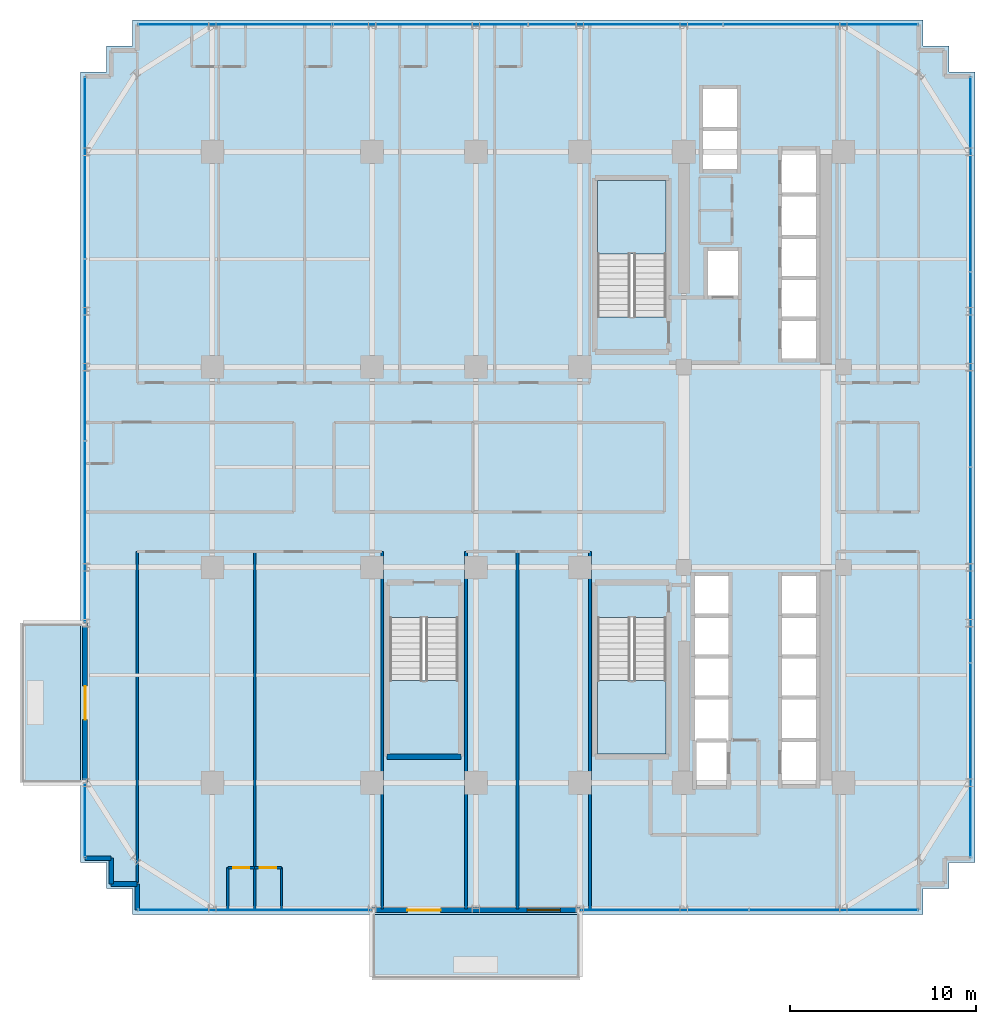
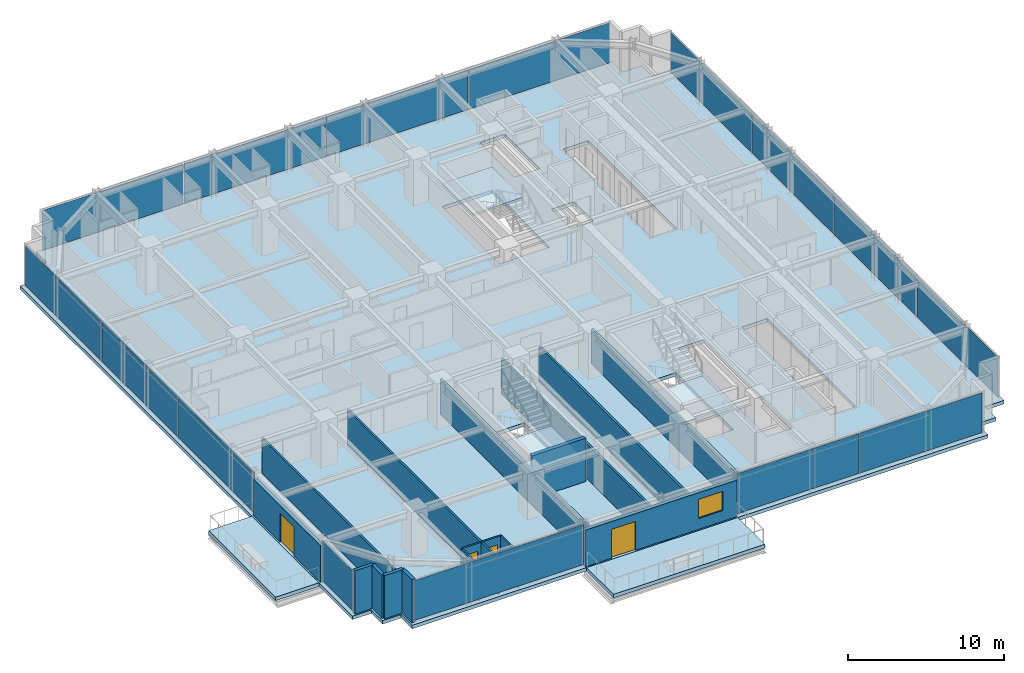
# One storey, part 24 of 31: 17 walls, 15 plates, 6 slabs, 4 doors, 1 window, 5 openings, 9 elements without a shape of their own.
"""IFC4 building model written with IfcOpenShell, lengths in metres."""

from ifc_helpers import new_model, si_unit, direction, frame, frame_2d, origin, origin_2d, place, context, subcontext, project, spatial, polyline, rectangle, outline, extrude, source, transform, mapped, material, layer, layer_set, type_object, element, fill, aggregate, save


model = new_model("IFC4")

# Units and contexts
model_context = context("Model", 3, precision=1e-05, world=origin(), true_north=direction((0.0, 1.0)))
body_context = subcontext(model_context, "Body", "Model", "MODEL_VIEW")
ifc_project = project(units=[si_unit("LENGTHUNIT", "METRE"), si_unit("AREAUNIT", "SQUARE_METRE"), si_unit("VOLUMEUNIT", "CUBIC_METRE"), si_unit("PLANEANGLEUNIT", "RADIAN"), si_unit("MASSUNIT", "GRAM", prefix="KILO")], contexts=[model_context])

# Site, building, storey
site_placement = place(None, origin())
site = spatial("IfcSite", under=ifc_project, at=site_placement, CompositionType="ELEMENT")
building_placement = place(site_placement, origin())
building = spatial("IfcBuilding", under=site, at=building_placement, Name="Nahalor Promenade Grand Hotel", CompositionType="ELEMENT")
storey_placement = place(building_placement, frame((0.0, 0.0, 95.60009765625)))
storey = spatial("IfcBuildingStorey", under=building, at=storey_placement, Name="L23", CompositionType="ELEMENT", Elevation=95.60009765625)

# Stair, slab
ifc_material_1 = material(Name="Concrete B-50 (C40/50)", Category="concrete")
stair_type_1 = type_object("IfcStairType", Name="Stair-ST1", PredefinedType="HALF_TURN_STAIR", material=ifc_material_1)
stair_1_placement = place(storey_placement, origin())
stair_1 = element("IfcStair", 1, at=stair_1_placement, inside=storey, type_object=stair_type_1, Name="L23 ST1", PredefinedType="HALF_TURN_STAIR")
ifc_layer_1 = layer(ifc_material_1, 0.199951171875)
ifc_layer_set_1 = layer_set([ifc_layer_1], Name="Concrete B-50 (C40/50)")
slab_type_1 = type_object("IfcSlabType", Name="Landing-ST1", PredefinedType="LANDING", material=ifc_layer_set_1)
slab_1_placement = place(storey_placement, frame((0.0, 0.0, 1.625)))
slab_1 = element("IfcSlab", 2, at=slab_1_placement, type_object=slab_type_1, Name="ST1 landing 1", PredefinedType="LANDING", context=body_context, shape_type="SweptSolid", body=[
    extrude(outline(polyline([(7.449951171875, 11.5), (7.449951171875, 15.449951171875), (3.75, 15.449951171875), (3.75, 11.5), (7.449951171875, 11.5)])), origin(), (0.0, 0.0, 1.0), 0.199951171875),
])
aggregate(stair_1, [slab_1])

stair_type_2 = type_object("IfcStairType", Name="Stair-ST2", PredefinedType="HALF_TURN_STAIR", material=ifc_material_1)
stair_2_placement = place(storey_placement, origin())
stair_2 = element("IfcStair", 3, at=stair_2_placement, inside=storey, type_object=stair_type_2, Name="L23 ST2", PredefinedType="HALF_TURN_STAIR")
ifc_layer_2 = layer(ifc_material_1, 0.2099609375)
ifc_layer_set_2 = layer_set([ifc_layer_2], Name="Concrete B-50 (C40/50)")
slab_type_2 = type_object("IfcSlabType", Name="Landing-ST2", PredefinedType="LANDING", material=ifc_layer_set_2)
slab_2_placement = place(storey_placement, frame((0.0, 0.0, 1.614990234375)))
slab_2 = element("IfcSlab", 4, at=slab_2_placement, type_object=slab_type_2, Name="ST2 landing 1", PredefinedType="LANDING", context=body_context, shape_type="SweptSolid", body=[
    extrude(outline(polyline([(3.75, -11.5), (3.75, -15.449951171875), (7.449951171875, -15.449951171875), (7.449951171875, -11.5), (3.75, -11.5)])), origin(), (0.0, 0.0, 1.0), 0.2099609375),
])
aggregate(stair_2, [slab_2])

stair_type_3 = type_object("IfcStairType", Name="Stair-ST3", PredefinedType="HALF_TURN_STAIR", material=ifc_material_1)
stair_3_placement = place(storey_placement, origin())
stair_3 = element("IfcStair", 5, at=stair_3_placement, inside=storey, type_object=stair_type_3, Name="L23 ST3", PredefinedType="HALF_TURN_STAIR")
ifc_layer_3 = layer(ifc_material_1, 0.219970703125)
ifc_layer_set_3 = layer_set([ifc_layer_3], Name="Concrete B-50 (C40/50)")
slab_type_3 = type_object("IfcSlabType", Name="Landing-ST3", PredefinedType="LANDING", material=ifc_layer_set_3)
slab_3_placement = place(storey_placement, frame((0.0, 0.0, 1.60498046875)))
slab_3 = element("IfcSlab", 6, at=slab_3_placement, type_object=slab_type_3, Name="ST3 landing 1", PredefinedType="LANDING", context=body_context, shape_type="SweptSolid", body=[
    extrude(outline(polyline([(-7.449951171875, -11.5), (-7.449951171875, -15.449951171875), (-3.75, -15.449951171875), (-3.75, -11.5), (-7.449951171875, -11.5)])), origin(), (0.0, 0.0, 1.0), 0.219970703125),
])
aggregate(stair_3, [slab_3])

# Slabs
ifc_layer_4 = layer(ifc_material_1, 0.280029296875)
ifc_layer_set_4 = layer_set([ifc_layer_4], Name="Concrete B-50 (C40/50)")
slab_type_4 = type_object("IfcSlabType", Name="Slab-Balcony-280", PredefinedType="FLOOR", material=ifc_layer_set_4)
slab_4_placement = place(storey_placement, frame((0.0, 0.0, -0.280029296875)))
element("IfcSlab", 7, at=slab_4_placement, inside=storey, type_object=slab_type_4, Name="L23 Cantilevered Planted Balcony 1", PredefinedType="FLOOR", context=body_context, shape_type="SweptSolid", body=[
    extrude(outline(polyline([(-8.39990234375, -27.56005859375), (2.800048828125, -27.56005859375), (2.800048828125, -24.10009765625), (-8.39990234375, -24.10009765625), (-8.39990234375, -27.56005859375)])), origin(), (0.0, 0.0, 1.0), 0.280029296875),
])
slab_5_placement = place(storey_placement, frame((0.0, 0.0, -0.280029296875)))
element("IfcSlab", 8, at=slab_5_placement, inside=storey, type_object=slab_type_4, Name="L23 Cantilevered Planted Balcony 2", PredefinedType="FLOOR", context=body_context, shape_type="SweptSolid", body=[
    extrude(outline(polyline([(-27.300048828125, -17.0), (-24.10009765625, -17.0), (-24.10009765625, -8.39990234375), (-27.300048828125, -8.39990234375), (-27.300048828125, -17.0)])), origin(), (0.0, 0.0, 1.0), 0.280029296875),
])
ifc_layer_5 = layer(ifc_material_1, 0.27001953125)
ifc_layer_set_5 = layer_set([ifc_layer_5], Name="Concrete B-50 (C40/50)")
slab_type_5 = type_object("IfcSlabType", Name="Slab-TowerZ2-270", PredefinedType="FLOOR", material=ifc_layer_set_5)
slab_6_placement = place(storey_placement, frame((0.0, 0.0, -0.27001953125)))
element("IfcSlab", 9, at=slab_6_placement, inside=storey, type_object=slab_type_5, Name="L23 Suspended Structural Floor Slab", PredefinedType="FLOOR", context=body_context, shape_type="SweptSolid", body=[
    extrude(outline(polyline([(-21.300048828125, -24.10009765625), (21.300048828125, -24.10009765625), (21.300048828125, -22.699951171875), (22.699951171875, -22.699951171875), (22.699951171875, -21.300048828125), (24.10009765625, -21.300048828125), (24.10009765625, 21.300048828125), (22.699951171875, 21.300048828125), (22.699951171875, 22.699951171875), (21.300048828125, 22.699951171875), (21.300048828125, 24.10009765625), (-21.300048828125, 24.10009765625), (-21.300048828125, 22.699951171875), (-22.699951171875, 22.699951171875), (-22.699951171875, 21.300048828125), (-24.10009765625, 21.300048828125), (-24.10009765625, -21.300048828125), (-22.699951171875, -21.300048828125), (-22.699951171875, -22.699951171875), (-21.300048828125, -22.699951171875), (-21.300048828125, -24.10009765625)]), holes=[polyline([(3.75, 8.10009765625), (7.449951171875, 8.10009765625), (7.449951171875, 15.449951171875), (3.75, 15.449951171875), (3.75, 8.10009765625)]), polyline([(3.75, -15.449951171875), (7.449951171875, -15.449951171875), (7.449951171875, -8.10009765625), (3.75, -8.10009765625), (3.75, -15.449951171875)]), polyline([(-7.449951171875, -15.449951171875), (-3.75, -15.449951171875), (-3.75, -8.10009765625), (-7.449951171875, -8.10009765625), (-7.449951171875, -15.449951171875)]), polyline([(13.659912109375, 5.81005859375), (15.5400390625, 5.81005859375), (15.5400390625, 17.139892578125), (13.659912109375, 17.139892578125), (13.659912109375, 5.81005859375)]), polyline([(13.659912109375, -17.139892578125), (15.5400390625, -17.139892578125), (15.5400390625, -5.81005859375), (13.659912109375, -5.81005859375), (13.659912109375, -17.139892578125)]), polyline([(8.9599609375, -17.18994140625), (10.840087890625, -17.18994140625), (10.840087890625, -5.81005859375), (8.9599609375, -5.81005859375), (8.9599609375, -17.18994140625)]), polyline([(9.409912109375, 16.010009765625), (11.2900390625, 16.010009765625), (11.2900390625, 20.43994140625), (9.409912109375, 20.43994140625), (9.409912109375, 16.010009765625)]), polyline([(9.659912109375, 9.2099609375), (11.340087890625, 9.2099609375), (11.340087890625, 11.68994140625), (9.659912109375, 11.68994140625), (9.659912109375, 9.2099609375)])]), origin(), (0.0, 0.0, 1.0), 0.27001953125),
])

# Curtain wall, plate
ifc_material_2 = material(Name="Anodised Bronze Aluminium EN AW-6063 T6", Category="aluminium")
curtain_wall_type = type_object("IfcCurtainWallType", Name="CW2 Typical Hotel Flush Bronze Unitised Curtain Wall", PredefinedType="USERDEFINED", material=ifc_material_2)
curtain_wall_1_placement = place(storey_placement, origin())
curtain_wall_1 = element("IfcCurtainWall", 10, at=curtain_wall_1_placement, inside=storey, type_object=curtain_wall_type, Name="L23 Curtain Wall CW-L23-W-1", ObjectType="UNITISED_CURTAIN_WALL", PredefinedType="USERDEFINED")
ifc_material_3 = material(Name="Low-E Laminated Solar Glass", Category="glass")
ifc_layer_6 = layer(ifc_material_3, 0.028076171875)
ifc_layer_set_6 = layer_set([ifc_layer_6], Name="Low-E Laminated Solar Glass")
plate_type = type_object("IfcPlateType", Name="CWP2 Bronze Low-E Vision IGU 28mm", PredefinedType="CURTAIN_PANEL", material=ifc_layer_set_6)
shared_shape_1 = source(origin(), body_context, "Body", "SweptSolid", [
    extrude(rectangle(XDim=3.929931640625, YDim=0.028076171875, at=origin_2d()), origin(), (0.0, 0.0, 1.0), 3.1201171875),
])
plate_1_placement = place(storey_placement, frame((-23.860107421875, -19.030029296875, 0.1298828125), z_axis=(0.0, 0.0, 1.0), x_axis=(0.0, 1.0, 0.0)))
plate_1 = element("IfcPlate", 11, at=plate_1_placement, type_object=plate_type, Name="CW-L23-W-1 Glazing Panel 0-0", PredefinedType="CURTAIN_PANEL", context=body_context, shape_type="MappedRepresentation", body=[
    mapped(shared_shape_1, transform((0.0, 0.0, 0.0), scale=1.0)),
])
aggregate(curtain_wall_1, [plate_1])

# Curtain wall, plates
curtain_wall_2_placement = place(storey_placement, origin())
curtain_wall_2 = element("IfcCurtainWall", 12, at=curtain_wall_2_placement, inside=storey, type_object=curtain_wall_type, Name="L23 Curtain Wall CW-L23-W-3", ObjectType="UNITISED_CURTAIN_WALL", PredefinedType="USERDEFINED")
shared_shape_2 = source(origin(), body_context, "Body", "SweptSolid", [
    extrude(rectangle(XDim=9.722412109375, YDim=0.028076171875, at=origin_2d()), origin(), (0.0, 0.0, 1.0), 3.1201171875),
])
plate_2_placement = place(storey_placement, frame((-23.860107421875, -3.4736328125, 0.1298828125), z_axis=(0.0, 0.0, 1.0), x_axis=(0.0, 1.0, 0.0)))
plate_2 = element("IfcPlate", 13, at=plate_2_placement, type_object=plate_type, Name="CW-L23-W-3 Glazing Panel 0-0", PredefinedType="CURTAIN_PANEL", context=body_context, shape_type="MappedRepresentation", body=[
    mapped(shared_shape_2, transform((0.0, 0.0, 0.0), scale=1.0)),
])
plate_3_placement = place(storey_placement, frame((-23.860107421875, 16.1337890625, 0.1298828125), z_axis=(0.0, 0.0, 1.0), x_axis=(0.0, 1.0, 0.0)))
plate_3 = element("IfcPlate", 14, at=plate_3_placement, type_object=plate_type, Name="CW-L23-W-3 Glazing Panel 2-0", PredefinedType="CURTAIN_PANEL", context=body_context, shape_type="MappedRepresentation", body=[
    mapped(shared_shape_2, transform((0.0, 0.0, 0.0), scale=1.0)),
])
shared_shape_3 = source(origin(), body_context, "Body", "SweptSolid", [
    extrude(rectangle(XDim=9.7548828125, YDim=0.028076171875, at=origin_2d()), origin(), (0.0, 0.0, 1.0), 3.1201171875),
])
plate_4_placement = place(storey_placement, frame((-23.860107421875, 6.330078125, 0.1298828125), z_axis=(0.0, 0.0, 1.0), x_axis=(0.0, 1.0, 0.0)))
plate_4 = element("IfcPlate", 15, at=plate_4_placement, type_object=plate_type, Name="CW-L23-W-3 Glazing Panel 1-0", PredefinedType="CURTAIN_PANEL", context=body_context, shape_type="MappedRepresentation", body=[
    mapped(shared_shape_3, transform((0.0, 0.0, 0.0), scale=1.0)),
])
aggregate(curtain_wall_2, [plate_2, plate_4, plate_3])

curtain_wall_3_placement = place(storey_placement, origin())
curtain_wall_3 = element("IfcCurtainWall", 16, at=curtain_wall_3_placement, inside=storey, type_object=curtain_wall_type, Name="L23 Curtain Wall CW-L23-N-1", ObjectType="UNITISED_CURTAIN_WALL", PredefinedType="USERDEFINED")
shared_shape_4 = source(origin(), body_context, "Body", "SweptSolid", [
    extrude(rectangle(XDim=10.4326171875, YDim=0.028076171875, at=origin_2d()), origin(), (0.0, 0.0, 1.0), 3.1201171875),
])
plate_5_placement = place(storey_placement, frame((-15.77880859375, 23.860107421875, 0.1298828125), z_axis=(0.0, 0.0, 1.0), x_axis=(1.0, 0.0, 0.0)))
plate_5 = element("IfcPlate", 17, at=plate_5_placement, type_object=plate_type, Name="CW-L23-N-1 Glazing Panel 0-0", PredefinedType="CURTAIN_PANEL", context=body_context, shape_type="MappedRepresentation", body=[
    mapped(shared_shape_4, transform((0.0, 0.0, 0.0), scale=1.0)),
])
plate_6_placement = place(storey_placement, frame((15.77880859375, 23.860107421875, 0.1298828125), z_axis=(0.0, 0.0, 1.0), x_axis=(1.0, 0.0, 0.0)))
plate_6 = element("IfcPlate", 18, at=plate_6_placement, type_object=plate_type, Name="CW-L23-N-1 Glazing Panel 3-0", PredefinedType="CURTAIN_PANEL", context=body_context, shape_type="MappedRepresentation", body=[
    mapped(shared_shape_4, transform((0.0, 0.0, 0.0), scale=1.0)),
])

curtain_wall_4_placement = place(storey_placement, origin())
curtain_wall_4 = element("IfcCurtainWall", 19, at=curtain_wall_4_placement, inside=storey, type_object=curtain_wall_type, Name="L23 Curtain Wall CW-L23-E-1", ObjectType="UNITISED_CURTAIN_WALL", PredefinedType="USERDEFINED")
plate_7_placement = place(storey_placement, frame((23.860107421875, -15.77880859375, 0.1298828125), z_axis=(0.0, 0.0, 1.0), x_axis=(0.0, 1.0, 0.0)))
plate_7 = element("IfcPlate", 20, at=plate_7_placement, type_object=plate_type, Name="CW-L23-E-1 Glazing Panel 0-0", PredefinedType="CURTAIN_PANEL", context=body_context, shape_type="MappedRepresentation", body=[
    mapped(shared_shape_4, transform((0.0, 0.0, 0.0), scale=1.0)),
])
plate_8_placement = place(storey_placement, frame((23.860107421875, 15.77880859375, 0.1298828125), z_axis=(0.0, 0.0, 1.0), x_axis=(0.0, 1.0, 0.0)))
plate_8 = element("IfcPlate", 21, at=plate_8_placement, type_object=plate_type, Name="CW-L23-E-1 Glazing Panel 3-0", PredefinedType="CURTAIN_PANEL", context=body_context, shape_type="MappedRepresentation", body=[
    mapped(shared_shape_4, transform((0.0, 0.0, 0.0), scale=1.0)),
])

# Plate
shared_shape_5 = source(origin(), body_context, "Body", "SweptSolid", [
    extrude(rectangle(XDim=10.465087890625, YDim=0.028076171875, at=origin_2d()), origin(), (0.0, 0.0, 1.0), 3.1201171875),
])
plate_9_placement = place(storey_placement, frame((-5.264892578125, 23.860107421875, 0.1298828125), z_axis=(0.0, 0.0, 1.0), x_axis=(1.0, 0.0, 0.0)))
plate_9 = element("IfcPlate", 22, at=plate_9_placement, type_object=plate_type, Name="CW-L23-N-1 Glazing Panel 1-0", PredefinedType="CURTAIN_PANEL", context=body_context, shape_type="MappedRepresentation", body=[
    mapped(shared_shape_5, transform((0.0, 0.0, 0.0), scale=1.0)),
])

plate_10_placement = place(storey_placement, frame((5.264892578125, 23.860107421875, 0.1298828125), z_axis=(0.0, 0.0, 1.0), x_axis=(1.0, 0.0, 0.0)))
plate_10 = element("IfcPlate", 23, at=plate_10_placement, type_object=plate_type, Name="CW-L23-N-1 Glazing Panel 2-0", PredefinedType="CURTAIN_PANEL", context=body_context, shape_type="MappedRepresentation", body=[
    mapped(shared_shape_5, transform((0.0, 0.0, 0.0), scale=1.0)),
])

aggregate(curtain_wall_3, [plate_5, plate_9, plate_10, plate_6])

plate_11_placement = place(storey_placement, frame((23.860107421875, -5.264892578125, 0.1298828125), z_axis=(0.0, 0.0, 1.0), x_axis=(0.0, 1.0, 0.0)))
plate_11 = element("IfcPlate", 24, at=plate_11_placement, type_object=plate_type, Name="CW-L23-E-1 Glazing Panel 1-0", PredefinedType="CURTAIN_PANEL", context=body_context, shape_type="MappedRepresentation", body=[
    mapped(shared_shape_5, transform((0.0, 0.0, 0.0), scale=1.0)),
])

plate_12_placement = place(storey_placement, frame((23.860107421875, 5.264892578125, 0.1298828125), z_axis=(0.0, 0.0, 1.0), x_axis=(0.0, 1.0, 0.0)))
plate_12 = element("IfcPlate", 25, at=plate_12_placement, type_object=plate_type, Name="CW-L23-E-1 Glazing Panel 2-0", PredefinedType="CURTAIN_PANEL", context=body_context, shape_type="MappedRepresentation", body=[
    mapped(shared_shape_5, transform((0.0, 0.0, 0.0), scale=1.0)),
])

aggregate(curtain_wall_4, [plate_7, plate_11, plate_12, plate_8])

# Curtain wall, plate
curtain_wall_5_placement = place(storey_placement, origin())
curtain_wall_5 = element("IfcCurtainWall", 26, at=curtain_wall_5_placement, inside=storey, type_object=curtain_wall_type, Name="L23 Curtain Wall CW-L23-S-1", ObjectType="UNITISED_CURTAIN_WALL", PredefinedType="USERDEFINED")
shared_shape_6 = source(origin(), body_context, "Body", "SweptSolid", [
    extrude(rectangle(XDim=12.530029296875, YDim=0.028076171875, at=origin_2d()), origin(), (0.0, 0.0, 1.0), 3.1201171875),
])
plate_13_placement = place(storey_placement, frame((-14.72998046875, -23.860107421875, 0.1298828125), z_axis=(0.0, 0.0, 1.0), x_axis=(1.0, 0.0, 0.0)))
plate_13 = element("IfcPlate", 27, at=plate_13_placement, type_object=plate_type, Name="CW-L23-S-1 Glazing Panel 0-0", PredefinedType="CURTAIN_PANEL", context=body_context, shape_type="MappedRepresentation", body=[
    mapped(shared_shape_6, transform((0.0, 0.0, 0.0), scale=1.0)),
])
aggregate(curtain_wall_5, [plate_13])

# Curtain wall, plates
curtain_wall_6_placement = place(storey_placement, origin())
curtain_wall_6 = element("IfcCurtainWall", 28, at=curtain_wall_6_placement, inside=storey, type_object=curtain_wall_type, Name="L23 Curtain Wall CW-L23-S-3", ObjectType="UNITISED_CURTAIN_WALL", PredefinedType="USERDEFINED")
shared_shape_7 = source(origin(), body_context, "Body", "SweptSolid", [
    extrude(rectangle(XDim=9.032470703125, YDim=0.028076171875, at=origin_2d()), origin(), (0.0, 0.0, 1.0), 3.1201171875),
])
plate_14_placement = place(storey_placement, frame((7.38134765625, -23.860107421875, 0.1298828125), z_axis=(0.0, 0.0, 1.0), x_axis=(1.0, 0.0, 0.0)))
plate_14 = element("IfcPlate", 29, at=plate_14_placement, type_object=plate_type, Name="CW-L23-S-3 Glazing Panel 0-0", PredefinedType="CURTAIN_PANEL", context=body_context, shape_type="MappedRepresentation", body=[
    mapped(shared_shape_7, transform((0.0, 0.0, 0.0), scale=1.0)),
])
plate_15_placement = place(storey_placement, frame((16.478759765625, -23.860107421875, 0.1298828125), z_axis=(0.0, 0.0, 1.0), x_axis=(1.0, 0.0, 0.0)))
plate_15 = element("IfcPlate", 30, at=plate_15_placement, type_object=plate_type, Name="CW-L23-S-3 Glazing Panel 1-0", PredefinedType="CURTAIN_PANEL", context=body_context, shape_type="MappedRepresentation", body=[
    mapped(shared_shape_7, transform((0.0, 0.0, 0.0), scale=1.0)),
])
aggregate(curtain_wall_6, [plate_14, plate_15])

# Walls
ifc_layer_7 = layer(ifc_material_1, 0.300048828125)
ifc_layer_set_7 = layer_set([ifc_layer_7], Name="Concrete B-50 (C40/50)")
wall_type_1 = type_object("IfcWallType", Name="Wall-ShaftShear-300", PredefinedType="SHEAR", material=ifc_layer_set_7)
shared_shape_8 = source(origin(), body_context, "Body", "SweptSolid", [
    extrude(rectangle(XDim=3.97998046875, YDim=0.300048828125, at=frame_2d((1.989990234375, 0.0))), origin(), (0.0, 0.0, 1.0), 3.3798828125),
])
wall_1_placement = place(storey_placement, frame((-7.590087890625, -15.590087890625, 0.0), z_axis=(0.0, 0.0, 1.0), x_axis=(1.0, 0.0, 0.0)))
element("IfcWall", 31, at=wall_1_placement, inside=storey, type_object=wall_type_1, Name="L23 Exit Stair ST3 Shaft Wall S", PredefinedType="SHEAR", context=body_context, shape_type="MappedRepresentation", body=[
    mapped(shared_shape_8, transform((0.0, 0.0, 0.0), scale=1.0)),
])
ifc_material_4 = material(Name="Concrete B-40 (C32/40)", Category="concrete")
ifc_layer_8 = layer(ifc_material_4, 0.25)
ifc_layer_set_8 = layer_set([ifc_layer_8], Name="Concrete B-40 (C32/40)")
wall_type_2 = type_object("IfcWallType", Name="Wall-BronzePier-250", PredefinedType="STANDARD", material=ifc_layer_set_8)
shared_shape_9 = source(origin(), body_context, "Body", "SweptSolid", [
    extrude(rectangle(XDim=1.400146484375, YDim=0.25, at=frame_2d((0.7001953125, 0.0))), origin(), (0.0, 0.0, 1.0), 3.3798828125),
])
for number, where, z_axis, x_axis, name in (
    (32, (-23.860107421875, -21.06005859375, 0.0), (0.0, 0.0, 1.0), (1.0, 0.0, 0.0), "W-L23-SR-13"),
    (33, (-21.06005859375, -23.860107421875, 0.0), (0.0, 0.0, 1.0), (0.0, 1.0, 0.0), "W-L23-SR-16"),
):
    element("IfcWall", number, at=place(storey_placement, frame(where, z_axis=z_axis, x_axis=x_axis)), inside=storey, type_object=wall_type_2, Name=name, PredefinedType="STANDARD", context=body_context, shape_type="MappedRepresentation", body=[
        mapped(shared_shape_9, transform((0.0, 0.0, 0.0), scale=1.0)),
    ])
shared_shape_10 = source(origin(), body_context, "Body", "SweptSolid", [
    extrude(rectangle(XDim=1.39990234375, YDim=0.25, at=frame_2d((0.699951171875, 0.0))), origin(), (0.0, 0.0, 1.0), 3.3798828125),
])
for number, where, z_axis, x_axis, name in (
    (34, (-22.4599609375, -22.4599609375, 0.0), (0.0, 0.0, 1.0), (0.0, 1.0, 0.0), "W-L23-SR-14"),
    (35, (-22.4599609375, -22.4599609375, 0.0), (0.0, 0.0, 1.0), (1.0, 0.0, 0.0), "W-L23-SR-15"),
):
    element("IfcWall", number, at=place(storey_placement, frame(where, z_axis=z_axis, x_axis=x_axis)), inside=storey, type_object=wall_type_2, Name=name, PredefinedType="STANDARD", context=body_context, shape_type="MappedRepresentation", body=[
        mapped(shared_shape_10, transform((0.0, 0.0, 0.0), scale=1.0)),
    ])

# Wall, opening, door
ifc_layer_9 = layer(ifc_material_4, 0.260009765625)
ifc_layer_set_9 = layer_set([ifc_layer_9], Name="Concrete B-40 (C32/40)")
wall_type_3 = type_object("IfcWallType", Name="Wall-BalconyWall-260", PredefinedType="STANDARD", material=ifc_layer_set_9)
shared_shape_11 = source(origin(), body_context, "Body", "SweptSolid", [
    extrude(rectangle(XDim=8.60009765625, YDim=0.260009765625, at=frame_2d((4.300048828125, 0.0))), origin(), (0.0, 0.0, 1.0), 2.85986328125),
])
wall_2_placement = place(storey_placement, frame((-23.860107421875, -17.0, 0.0), z_axis=(0.0, 0.0, 1.0), x_axis=(0.0, 1.0, 0.0)))
wall_2 = element("IfcWall", 36, at=wall_2_placement, inside=storey, type_object=wall_type_3, Name="W-L23-BALC-W-2", PredefinedType="STANDARD", context=body_context, shape_type="MappedRepresentation", body=[
    mapped(shared_shape_11, transform((0.0, 0.0, 0.0), scale=1.0)),
])
opening_1_placement = place(wall_2_placement, frame((3.39990234375, 0.0, 0.0)))
opening_1 = element("IfcOpeningElement", 37, at=opening_1_placement, cuts=wall_2, Name="Opening D-BC1", PredefinedType="OPENING", context=body_context, shape_type="SweptSolid", body=[
    extrude(rectangle(XDim=1.800048828125, YDim=2.25, at=frame_2d((0.89990234375, 1.125))), frame((0.0, 0.139892578125, 0.0), z_axis=(0.0, -1.0, 0.0), x_axis=(1.0, 0.0, 0.0)), (0.0, 0.0, 1.0), 0.280029296875),
])
door_type_1 = type_object("IfcDoorType", Name="Door-BalconySlide-1800", OperationType="DOUBLE_DOOR_SLIDING", PredefinedType="DOOR", material=ifc_material_2)
shared_shape_12 = source(origin(), body_context, "Body", "SweptSolid", [
    extrude(rectangle(XDim=1.800048828125, YDim=2.25, at=frame_2d((0.89990234375, 1.125))), frame((0.0, 0.02490234375, 0.0), z_axis=(0.0, -1.0, 0.0), x_axis=(1.0, 0.0, 0.0)), (0.0, 0.0, 1.0), 0.050048828125),
])
door_1_placement = place(opening_1_placement, origin())
door_1 = element("IfcDoor", 38, at=door_1_placement, inside=storey, type_object=door_type_1, Name="DR-L23-BALC-W-2", OperationType="DOUBLE_DOOR_SLIDING", OverallHeight=2.25, OverallWidth=1.800048828125, PredefinedType="DOOR", context=body_context, shape_type="MappedRepresentation", body=[
    mapped(shared_shape_12, transform((0.0, 0.0, 0.0), scale=1.0)),
])
fill(opening_1, door_1)

# Wall, openings, door, window
shared_shape_13 = source(origin(), body_context, "Body", "SweptSolid", [
    extrude(rectangle(XDim=11.199951171875, YDim=0.260009765625, at=frame_2d((5.60009765625, 0.0))), origin(), (0.0, 0.0, 1.0), 2.85986328125),
])
wall_3_placement = place(storey_placement, frame((-8.39990234375, -23.860107421875, 0.0), z_axis=(0.0, 0.0, 1.0), x_axis=(1.0, 0.0, 0.0)))
wall_3 = element("IfcWall", 39, at=wall_3_placement, inside=storey, type_object=wall_type_3, Name="W-L23-BALC-S-2", PredefinedType="STANDARD", context=body_context, shape_type="MappedRepresentation", body=[
    mapped(shared_shape_13, transform((0.0, 0.0, 0.0), scale=1.0)),
])
opening_2_placement = place(wall_3_placement, frame((1.89990234375, 0.0, 0.0)))
opening_2 = element("IfcOpeningElement", 40, at=opening_2_placement, cuts=wall_3, Name="Opening D-BC1", PredefinedType="OPENING", context=body_context, shape_type="SweptSolid", body=[
    extrude(rectangle(XDim=1.800048828125, YDim=2.25, at=frame_2d((0.89990234375, 1.125))), frame((0.0, 0.139892578125, 0.0), z_axis=(0.0, -1.0, 0.0), x_axis=(1.0, 0.0, 0.0)), (0.0, 0.0, 1.0), 0.280029296875),
])
opening_3_placement = place(wall_3_placement, frame((8.35009765625, 0.0, 0.85009765625)))
opening_3 = element("IfcOpeningElement", 41, at=opening_3_placement, cuts=wall_3, Name="Opening WN-01", PredefinedType="OPENING", context=body_context, shape_type="SweptSolid", body=[
    extrude(rectangle(XDim=1.800048828125, YDim=1.5, at=frame_2d((0.89990234375, 0.75))), frame((0.0, 0.139892578125, 0.0), z_axis=(0.0, -1.0, 0.0), x_axis=(1.0, 0.0, 0.0)), (0.0, 0.0, 1.0), 0.280029296875),
])
door_2_placement = place(opening_2_placement, frame((1.800048828125, 0.0, 0.0), z_axis=(0.0, 0.0, 1.0), x_axis=(-1.0, 0.0, 0.0)))
door_2 = element("IfcDoor", 42, at=door_2_placement, inside=storey, type_object=door_type_1, Name="DR-L23-BALC-S-2", OperationType="DOUBLE_DOOR_SLIDING", OverallHeight=2.25, OverallWidth=1.800048828125, PredefinedType="DOOR", context=body_context, shape_type="MappedRepresentation", body=[
    mapped(shared_shape_12, transform((0.0, 0.0, 0.0), scale=1.0)),
])
fill(opening_2, door_2)
window_type = type_object("IfcWindowType", Name="Win-ChicagoBay-1800x1500", PartitioningType="SINGLE_PANEL", PredefinedType="WINDOW", material=ifc_material_3)
shared_shape_14 = source(origin(), body_context, "Body", "SweptSolid", [
    extrude(rectangle(XDim=1.800048828125, YDim=1.5, at=frame_2d((0.89990234375, 0.75))), frame((0.0, 0.030029296875, 0.0), z_axis=(0.0, -1.0, 0.0), x_axis=(1.0, 0.0, 0.0)), (0.0, 0.0, 1.0), 0.06005859375),
])
window_placement = place(opening_3_placement, origin())
window = element("IfcWindow", 43, at=window_placement, inside=storey, type_object=window_type, Name="WN-L23-BALC-S-2-1", OverallHeight=1.5, OverallWidth=1.800048828125, PartitioningType="SINGLE_PANEL", PredefinedType="WINDOW", context=body_context, shape_type="MappedRepresentation", body=[
    mapped(shared_shape_14, transform((0.0, 0.0, 0.0), scale=1.0)),
])
fill(opening_3, window)

# Walls
ifc_material_5 = material(Name="Acoustic Mineral Gypsum", Category="gypsum")
ifc_layer_10 = layer(ifc_material_5, 0.159912109375)
ifc_layer_set_10 = layer_set([ifc_layer_10], Name="Acoustic Mineral Gypsum")
wall_type_4 = type_object("IfcWallType", Name="Wall-PartCorridor-160", PredefinedType="PARTITIONING", material=ifc_layer_set_10)
shared_shape_15 = source(origin(), body_context, "Body", "SweptSolid", [
    extrude(rectangle(XDim=19.25, YDim=0.159912109375, at=frame_2d((9.625, 0.0))), origin(), (0.0, 0.0, 1.0), 2.719970703125),
])
for number, where, z_axis, x_axis, name in (
    (44, (-3.340087890625, -23.800048828125, 0.0), (0.0, 0.0, 1.0), (0.0, 1.0, 0.0), "W-L23-SCB1-W"),
    (45, (-0.550048828125, -23.800048828125, 0.0), (0.0, 0.0, 1.0), (0.0, 1.0, 0.0), "W-L23-SCB1-E"),
    (46, (3.340087890625, -23.800048828125, 0.0), (0.0, 0.0, 1.0), (0.0, 1.0, 0.0), "W-L23-SCB2-E"),
):
    element("IfcWall", number, at=place(storey_placement, frame(where, z_axis=z_axis, x_axis=x_axis)), inside=storey, type_object=wall_type_4, Name=name, PredefinedType="PARTITIONING", context=body_context, shape_type="MappedRepresentation", body=[
        mapped(shared_shape_15, transform((0.0, 0.0, 0.0), scale=1.0)),
    ])
ifc_layer_11 = layer(ifc_material_5, 0.139892578125)
ifc_layer_set_11 = layer_set([ifc_layer_11], Name="Acoustic Mineral Gypsum")
wall_type_5 = type_object("IfcWallType", Name="Wall-PartSuite-140", PredefinedType="PARTITIONING", material=ifc_layer_set_11)
shared_shape_16 = source(origin(), body_context, "Body", "SweptSolid", [
    extrude(rectangle(XDim=17.829833984375, YDim=0.139892578125, at=frame_2d((8.9150390625, 0.0))), origin(), (0.0, 0.0, 1.0), 2.719970703125),
])
wall_4_placement = place(storey_placement, frame((-21.06005859375, -22.3798828125, 0.0), z_axis=(0.0, 0.0, 1.0), x_axis=(0.0, 1.0, 0.0)))
element("IfcWall", 47, at=wall_4_placement, inside=storey, type_object=wall_type_5, Name="W-L23-SW-ENDW", PredefinedType="PARTITIONING", context=body_context, shape_type="MappedRepresentation", body=[
    mapped(shared_shape_16, transform((0.0, 0.0, 0.0), scale=1.0)),
])
shared_shape_17 = source(origin(), body_context, "Body", "SweptSolid", [
    extrude(rectangle(XDim=19.25, YDim=0.139892578125, at=frame_2d((9.625, 0.0))), origin(), (0.0, 0.0, 1.0), 2.719970703125),
])
for number, where, z_axis, x_axis, name in (
    (48, (-7.860107421875, -23.800048828125, 0.0), (0.0, 0.0, 1.0), (0.0, 1.0, 0.0), "W-L23-SW-ENDE"),
    (49, (-14.72412109375, -23.800048828125, 0.0), (0.0, 0.0, 1.0), (0.0, 1.0, 0.0), "W-L23-SP-1"),
):
    element("IfcWall", number, at=place(storey_placement, frame(where, z_axis=z_axis, x_axis=x_axis)), inside=storey, type_object=wall_type_5, Name=name, PredefinedType="PARTITIONING", context=body_context, shape_type="MappedRepresentation", body=[
        mapped(shared_shape_17, transform((0.0, 0.0, 0.0), scale=1.0)),
    ])

# Wall, opening, door
ifc_layer_12 = layer(ifc_material_5, 0.1201171875)
ifc_layer_set_12 = layer_set([ifc_layer_12], Name="Acoustic Mineral Gypsum")
wall_type_6 = type_object("IfcWallType", Name="Wall-PartBath-120", PredefinedType="PARTITIONING", material=ifc_layer_set_12)
shared_shape_18 = source(origin(), body_context, "Body", "SweptSolid", [
    extrude(rectangle(XDim=1.4501953125, YDim=0.1201171875, at=frame_2d((0.72509765625, 0.0))), origin(), (0.0, 0.0, 1.0), 2.719970703125),
])
wall_5_placement = place(storey_placement, frame((-14.72412109375, -21.580078125, 0.0), z_axis=(0.0, 0.0, 1.0), x_axis=(1.0, 0.0, 0.0)))
wall_5 = element("IfcWall", 50, at=wall_5_placement, inside=storey, type_object=wall_type_6, Name="W-L23-S2-BH", PredefinedType="PARTITIONING", context=body_context, shape_type="MappedRepresentation", body=[
    mapped(shared_shape_18, transform((0.0, 0.0, 0.0), scale=1.0)),
])
opening_4_placement = place(wall_5_placement, frame((0.284912109375, 0.0, 0.0)))
opening_4 = element("IfcOpeningElement", 51, at=opening_4_placement, cuts=wall_5, Name="Opening D-03", PredefinedType="OPENING", context=body_context, shape_type="SweptSolid", body=[
    extrude(rectangle(XDim=0.8798828125, YDim=2.10009765625, at=frame_2d((0.43994140625, 1.050048828125))), frame((0.0, 0.070068359375, 0.0), z_axis=(0.0, -1.0, 0.0), x_axis=(1.0, 0.0, 0.0)), (0.0, 0.0, 1.0), 0.14013671875),
])
ifc_material_6 = material(Name="Fire-Rated Timber Composite", Category="wood")
door_type_2 = type_object("IfcDoorType", Name="Door-BathSwing-880", OperationType="NOTDEFINED", PredefinedType="DOOR", material=ifc_material_6)
shared_shape_19 = source(origin(), body_context, "Body", "SweptSolid", [
    extrude(rectangle(XDim=0.8798828125, YDim=2.10009765625, at=frame_2d((0.43994140625, 1.050048828125))), frame((0.0, 0.02490234375, 0.0), z_axis=(0.0, -1.0, 0.0), x_axis=(1.0, 0.0, 0.0)), (0.0, 0.0, 1.0), 0.050048828125),
])
door_3_placement = place(opening_4_placement, frame((0.8798828125, 0.0, 0.0), z_axis=(0.0, 0.0, 1.0), x_axis=(-1.0, 0.0, 0.0)))
door_3 = element("IfcDoor", 52, at=door_3_placement, inside=storey, type_object=door_type_2, Name="DR-L23-S2-BATH", OperationType="SINGLE_SWING_LEFT", OverallHeight=2.10009765625, OverallWidth=0.8798828125, PredefinedType="DOOR", context=body_context, shape_type="MappedRepresentation", body=[
    mapped(shared_shape_19, transform((0.0, 0.0, 0.0), scale=1.0)),
])
fill(opening_4, door_3)

# Walls
shared_shape_20 = source(origin(), body_context, "Body", "SweptSolid", [
    extrude(rectangle(XDim=2.219970703125, YDim=0.1201171875, at=frame_2d((1.10986328125, 0.0))), origin(), (0.0, 0.0, 1.0), 2.719970703125),
])
for number, where, z_axis, x_axis, name in (
    (53, (-16.174072265625, -23.800048828125, 0.0), (0.0, 0.0, 1.0), (0.0, 1.0, 0.0), "W-L23-S1-BV"),
    (54, (-13.27392578125, -23.800048828125, 0.0), (0.0, 0.0, 1.0), (0.0, 1.0, 0.0), "W-L23-S2-BV"),
):
    element("IfcWall", number, at=place(storey_placement, frame(where, z_axis=z_axis, x_axis=x_axis)), inside=storey, type_object=wall_type_6, Name=name, PredefinedType="PARTITIONING", context=body_context, shape_type="MappedRepresentation", body=[
        mapped(shared_shape_20, transform((0.0, 0.0, 0.0), scale=1.0)),
    ])

# Wall, opening, door
shared_shape_21 = source(origin(), body_context, "Body", "SweptSolid", [
    extrude(rectangle(XDim=1.449951171875, YDim=0.1201171875, at=frame_2d((0.72509765625, 0.0))), origin(), (0.0, 0.0, 1.0), 2.719970703125),
])
wall_6_placement = place(storey_placement, frame((-16.174072265625, -21.580078125, 0.0), z_axis=(0.0, 0.0, 1.0), x_axis=(1.0, 0.0, 0.0)))
wall_6 = element("IfcWall", 55, at=wall_6_placement, inside=storey, type_object=wall_type_6, Name="W-L23-S1-BH", PredefinedType="PARTITIONING", context=body_context, shape_type="MappedRepresentation", body=[
    mapped(shared_shape_21, transform((0.0, 0.0, 0.0), scale=1.0)),
])
opening_5_placement = place(wall_6_placement, frame((0.284912109375, 0.0, 0.0)))
opening_5 = element("IfcOpeningElement", 56, at=opening_5_placement, cuts=wall_6, Name="Opening D-03", PredefinedType="OPENING", context=body_context, shape_type="SweptSolid", body=[
    extrude(rectangle(XDim=0.8798828125, YDim=2.10009765625, at=frame_2d((0.43994140625, 1.050048828125))), frame((0.0, 0.070068359375, 0.0), z_axis=(0.0, -1.0, 0.0), x_axis=(1.0, 0.0, 0.0)), (0.0, 0.0, 1.0), 0.14013671875),
])
door_4_placement = place(opening_5_placement, frame((0.8798828125, 0.0, 0.0), z_axis=(0.0, 0.0, 1.0), x_axis=(-1.0, 0.0, 0.0)))
door_4 = element("IfcDoor", 57, at=door_4_placement, inside=storey, type_object=door_type_2, Name="DR-L23-S1-BATH", OperationType="SINGLE_SWING_LEFT", OverallHeight=2.10009765625, OverallWidth=0.8798828125, PredefinedType="DOOR", context=body_context, shape_type="MappedRepresentation", body=[
    mapped(shared_shape_19, transform((0.0, 0.0, 0.0), scale=1.0)),
])
fill(opening_5, door_4)

save(model, "model.ifc")
